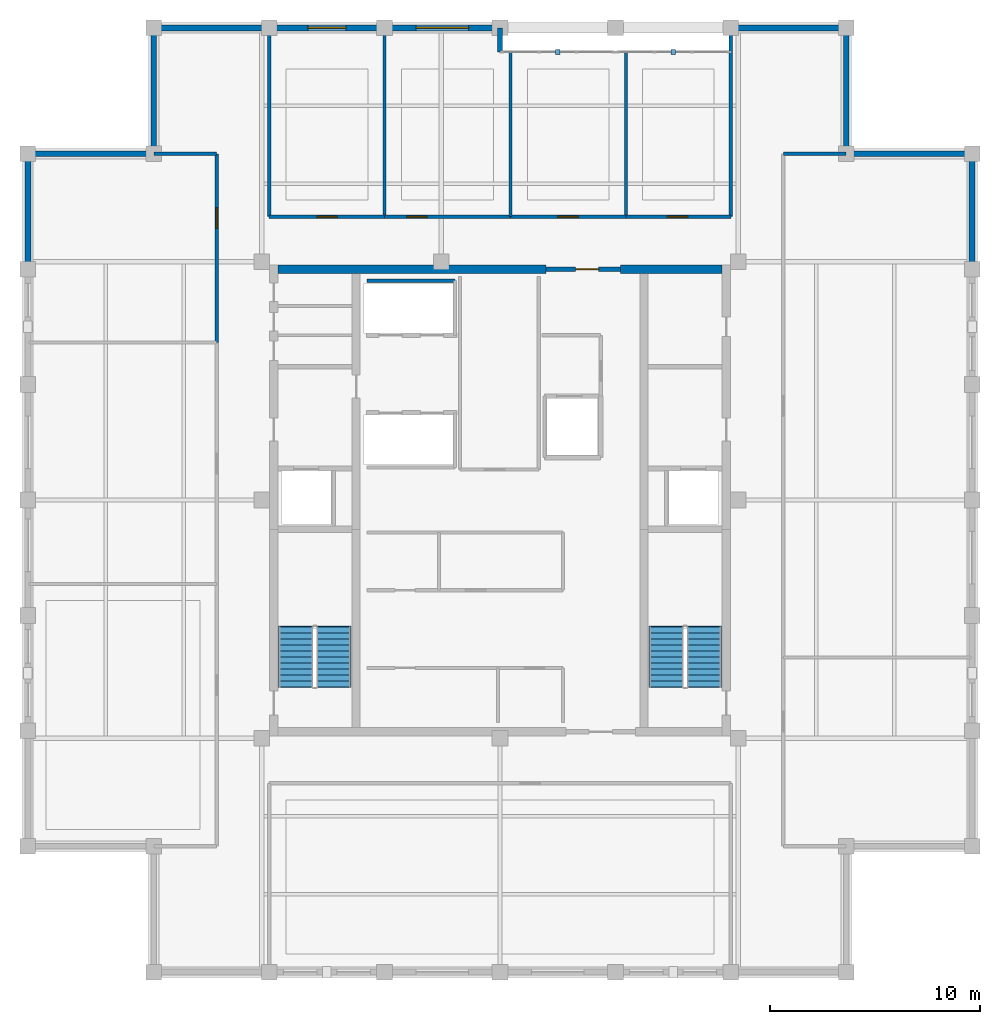
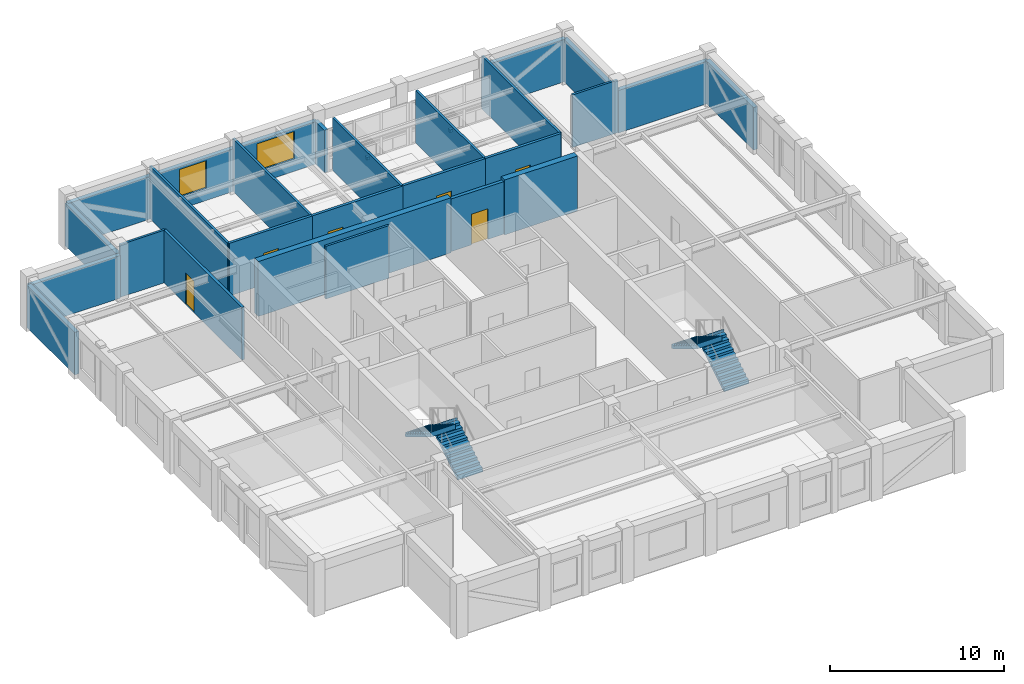
# One storey, part 6 of 9: 27 walls, 6 doors, 4 stair flights, 2 discrete accessories, 2 windows, 8 openings, 2 elements without a shape of their own.
"""IFC4 building model written with IfcOpenShell, lengths in metres."""

from ifc_helpers import new_model, si_unit, direction, frame, frame_2d, origin, origin_2d, place, context, subcontext, project, spatial, polyline, rectangle, outline, extrude, material, layer, layer_set, type_object, element, fill, aggregate, save


model = new_model("IFC4")

# Units and contexts
model_context = context("Model", 3, precision=1e-05, world=origin(), true_north=direction((0.0, 1.0)))
body_context = subcontext(model_context, "Body", "Model", "MODEL_VIEW")
ifc_project = project(units=[si_unit("LENGTHUNIT", "METRE"), si_unit("AREAUNIT", "SQUARE_METRE"), si_unit("VOLUMEUNIT", "CUBIC_METRE"), si_unit("PLANEANGLEUNIT", "RADIAN"), si_unit("MASSUNIT", "GRAM", prefix="KILO")], contexts=[model_context])

# Site, building, storey
site_placement = place(None, origin())
site = spatial("IfcSite", under=ifc_project, at=site_placement, CompositionType="ELEMENT")
building_placement = place(site_placement, origin())
building = spatial("IfcBuilding", under=site, at=building_placement, Name="Nhamokura Convention Tower", CompositionType="ELEMENT")
storey_placement = place(building_placement, frame((0.0, 0.0, 273.699951171875)))
storey = spatial("IfcBuildingStorey", under=building, at=storey_placement, Name="L67", CompositionType="ELEMENT", Elevation=273.699951171875)

# Walls
ifc_material_1 = material(Name="Bronze-pigmented precast concrete C45/55", Category="concrete")
ifc_layer_1 = layer(ifc_material_1, 0.280029296875)
ifc_layer_set_1 = layer_set([ifc_layer_1], Name="BronzePrecastSpandrel_280")
wall_type_1 = type_object("IfcWallType", Name="BronzePrecastSpandrel_280", PredefinedType="USERDEFINED", material=ifc_layer_set_1)
wall_1_placement = place(storey_placement, frame((32.0, 54.5, 0.0), z_axis=(0.0, 0.0, 1.0), x_axis=(0.0, -1.0, 0.0)))
element("IfcWall", 1, at=wall_1_placement, inside=storey, type_object=wall_type_1, Name="L67 Scale Slot Cheek Wall NORTHA", ObjectType="SPANDREL_WALL", PredefinedType="USERDEFINED", context=body_context, shape_type="SweptSolid", body=[
    extrude(rectangle(XDim=1.14990234375, YDim=0.239990234375, at=frame_2d((0.574951171875, 0.0))), origin(), (0.0, 0.0, 1.0), 2.985107421875),
])
wall_2_placement = place(storey_placement, frame((15.5, 54.5, 0.0), z_axis=(0.0, 0.0, 1.0), x_axis=(1.0, 0.0, 0.0)))
element("IfcWall", 2, at=wall_2_placement, inside=storey, type_object=wall_type_1, Name="L67 Braced-Bay Precast Wall NORTH 0", ObjectType="SPANDREL_WALL", PredefinedType="USERDEFINED", context=body_context, shape_type="SweptSolid", body=[
    extrude(rectangle(XDim=5.5, YDim=0.280029296875, at=frame_2d((2.75, 0.0))), origin(), (0.0, 0.0, 1.0), 2.985107421875),
])

# Wall, opening, window
wall_3_placement = place(storey_placement, frame((21.0, 54.5, 0.0), z_axis=(0.0, 0.0, 1.0), x_axis=(1.0, 0.0, 0.0)))
wall_3 = element("IfcWall", 3, at=wall_3_placement, inside=storey, type_object=wall_type_1, Name="L67 Masonry-Frame Wall NORTH 1", ObjectType="SPANDREL_WALL", PredefinedType="USERDEFINED", context=body_context, shape_type="SweptSolid", body=[
    extrude(rectangle(XDim=5.5, YDim=0.280029296875, at=frame_2d((2.75, 0.0))), origin(), (0.0, 0.0, 1.0), 2.985107421875),
])
opening_1_placement = place(wall_3_placement, frame((1.85009765625, 0.0, 0.85009765625)))
opening_1 = element("IfcOpeningElement", 4, at=opening_1_placement, cuts=wall_3, Name="Opening W-10", PredefinedType="OPENING", context=body_context, shape_type="SweptSolid", body=[
    extrude(rectangle(XDim=1.800048828125, YDim=1.93505859375, at=frame_2d((0.89990234375, 0.967529296875))), frame((0.0, 0.14990234375, 0.0), z_axis=(0.0, -1.0, 0.0), x_axis=(1.0, 0.0, 0.0)), (0.0, 0.0, 1.0), 0.300048828125),
])
ifc_material_2 = material(Name="Solar-control bronze low-E double glass", Category="glass")
window_type_1 = type_object("IfcWindowType", Name="SummitWindow_Z4_1800", PartitioningType="SINGLE_PANEL", PredefinedType="WINDOW", material=ifc_material_2)
window_1_placement = place(opening_1_placement, origin())
window_1 = element("IfcWindow", 5, at=window_1_placement, inside=storey, type_object=window_type_1, Name="L67 Facade Window NORTH 1", OverallHeight=1.93505859375, OverallWidth=1.800048828125, PartitioningType="SINGLE_PANEL", PredefinedType="WINDOW", context=body_context, shape_type="SweptSolid", body=[
    extrude(rectangle(XDim=1.800048828125, YDim=1.93505859375, at=frame_2d((0.89990234375, 0.967529296875))), frame((0.0, 0.030029296875, 0.0), z_axis=(0.0, -1.0, 0.0), x_axis=(1.0, 0.0, 0.0)), (0.0, 0.0, 1.0), 0.06005859375),
])
fill(opening_1, window_1)

wall_4_placement = place(storey_placement, frame((26.5, 54.5, 0.0), z_axis=(0.0, 0.0, 1.0), x_axis=(1.0, 0.0, 0.0)))
wall_4 = element("IfcWall", 6, at=wall_4_placement, inside=storey, type_object=wall_type_1, Name="L67 Masonry-Frame Wall NORTH 2", ObjectType="SPANDREL_WALL", PredefinedType="USERDEFINED", context=body_context, shape_type="SweptSolid", body=[
    extrude(rectangle(XDim=5.5, YDim=0.280029296875, at=frame_2d((2.75, 0.0))), origin(), (0.0, 0.0, 1.0), 2.985107421875),
])
opening_2_placement = place(wall_4_placement, frame((1.5, 0.0, 0.85009765625)))
opening_2 = element("IfcOpeningElement", 7, at=opening_2_placement, cuts=wall_4, Name="Opening W-09", PredefinedType="OPENING", context=body_context, shape_type="SweptSolid", body=[
    extrude(rectangle(XDim=2.5, YDim=1.93505859375, at=frame_2d((1.25, 0.967529296875))), frame((0.0, 0.14990234375, 0.0), z_axis=(0.0, -1.0, 0.0), x_axis=(1.0, 0.0, 0.0)), (0.0, 0.0, 1.0), 0.300048828125),
])
ifc_material_3 = material(Name="Solar-control bronze low-E double glass", Category="glass")
window_type_2 = type_object("IfcWindowType", Name="SummitWindow_Z4_2500", PartitioningType="DOUBLE_PANEL_VERTICAL", PredefinedType="WINDOW", material=ifc_material_3)
window_2_placement = place(opening_2_placement, origin())
window_2 = element("IfcWindow", 8, at=window_2_placement, inside=storey, type_object=window_type_2, Name="L67 Facade Window NORTH 2", OverallHeight=1.93505859375, OverallWidth=2.5, PartitioningType="SINGLE_PANEL", PredefinedType="WINDOW", context=body_context, shape_type="SweptSolid", body=[
    extrude(rectangle(XDim=2.5, YDim=1.93505859375, at=frame_2d((1.25, 0.967529296875))), frame((0.0, 0.030029296875, 0.0), z_axis=(0.0, -1.0, 0.0), x_axis=(1.0, 0.0, 0.0)), (0.0, 0.0, 1.0), 0.06005859375),
])
fill(opening_2, window_2)

# Walls
for number, where, z_axis, x_axis, name in (
    (9, (43.0, 54.5, 0.0), (0.0, 0.0, 1.0), (1.0, 0.0, 0.0), "L67 Braced-Bay Precast Wall NORTH 5"),
    (10, (9.5, 43.0, 0.0), (0.0, 0.0, 1.0), (0.0, 1.0, 0.0), "L67 Braced-Bay Precast Wall WEST 5"),
    (11, (54.5, 48.5, 0.0), (0.0, 0.0, 1.0), (0.0, -1.0, 0.0), "L67 Braced-Bay Precast Wall EAST 5"),
):
    element("IfcWall", number, at=place(storey_placement, frame(where, z_axis=z_axis, x_axis=x_axis)), inside=storey, type_object=wall_type_1, Name=name, ObjectType="SPANDREL_WALL", PredefinedType="USERDEFINED", context=body_context, shape_type="SweptSolid", body=[
        extrude(rectangle(XDim=5.5, YDim=0.280029296875, at=frame_2d((2.75, 0.0))), origin(), (0.0, 0.0, 1.0), 2.985107421875),
    ])
for number, where, z_axis, x_axis, name in (
    (12, (48.5, 48.5, 0.0), (0.0, 0.0, 1.0), (1.0, 0.0, 0.0), "L67 Notched Corner Wall NE1"),
    (13, (48.5, 54.5, 0.0), (0.0, 0.0, 1.0), (0.0, -1.0, 0.0), "L67 Notched Corner Wall NE2"),
    (14, (15.5, 48.5, 0.0), (0.0, 0.0, 1.0), (0.0, 1.0, 0.0), "L67 Notched Corner Wall NW1"),
    (15, (9.5, 48.5, 0.0), (0.0, 0.0, 1.0), (1.0, 0.0, 0.0), "L67 Notched Corner Wall NW2"),
):
    element("IfcWall", number, at=place(storey_placement, frame(where, z_axis=z_axis, x_axis=x_axis)), inside=storey, type_object=wall_type_1, Name=name, ObjectType="SPANDREL_WALL", PredefinedType="USERDEFINED", context=body_context, shape_type="SweptSolid", body=[
        extrude(rectangle(XDim=6.0, YDim=0.280029296875, at=frame_2d((3.0, 0.0))), origin(), (0.0, 0.0, 1.0), 2.985107421875),
    ])
ifc_material_4 = material(Name="Concrete C50/60", Category="concrete")
ifc_layer_2 = layer(ifc_material_4, 0.39990234375)
ifc_layer_set_2 = layer_set([ifc_layer_2], Name="CoreShearWall_400")
wall_type_2 = type_object("IfcWallType", Name="CoreShearWall_400", PredefinedType="SHEAR", material=ifc_layer_set_2)
wall_5_placement = place(storey_placement, frame((21.409912109375, 43.0, 0.0), z_axis=(0.0, 0.0, 1.0), x_axis=(1.0, 0.0, 0.0)))
element("IfcWall", 16, at=wall_5_placement, inside=storey, type_object=wall_type_2, Name="L67 Core Shear Wall CW-N1", PredefinedType="SHEAR", context=body_context, shape_type="SweptSolid", body=[
    extrude(rectangle(XDim=12.7900390625, YDim=0.39990234375, at=frame_2d((6.39501953125, 0.0))), origin(), (0.0, 0.0, 1.0), 3.85009765625),
])
wall_6_placement = place(storey_placement, frame((37.75, 43.0, 0.0), z_axis=(0.0, 0.0, 1.0), x_axis=(1.0, 0.0, 0.0)))
element("IfcWall", 17, at=wall_6_placement, inside=storey, type_object=wall_type_2, Name="L67 Core Shear Wall CW-N2", PredefinedType="SHEAR", context=body_context, shape_type="SweptSolid", body=[
    extrude(rectangle(XDim=4.840087890625, YDim=0.39990234375, at=frame_2d((2.419921875, 0.0))), origin(), (0.0, 0.0, 1.0), 3.85009765625),
])

# Wall, opening, door
ifc_material_5 = material(Name="Fire-rated gypsum and masonry partition", Category="masonry")
ifc_layer_3 = layer(ifc_material_5, 0.179931640625)
ifc_layer_set_3 = layer_set([ifc_layer_3], Name="CorridorRatedWall_180")
wall_type_3 = type_object("IfcWallType", Name="CorridorRatedWall_180", PredefinedType="STANDARD", material=ifc_layer_set_3)
wall_7_placement = place(storey_placement, frame((21.0, 45.5, 0.0), z_axis=(0.0, 0.0, 1.0), x_axis=(1.0, 0.0, 0.0)))
wall_7 = element("IfcWall", 18, at=wall_7_placement, inside=storey, type_object=wall_type_3, Name="L67 Wall INT-L67-CW-N00", PredefinedType="STANDARD", context=body_context, shape_type="SweptSolid", body=[
    extrude(rectangle(XDim=5.5, YDim=0.179931640625, at=frame_2d((2.75, 0.0))), origin(), (0.0, 0.0, 1.0), 3.68505859375),
])
opening_3_placement = place(wall_7_placement, frame((2.27490234375, 0.0, 0.0)))
opening_3 = element("IfcOpeningElement", 19, at=opening_3_placement, cuts=wall_7, Name="Opening D-08", PredefinedType="OPENING", context=body_context, shape_type="SweptSolid", body=[
    extrude(rectangle(XDim=0.97998046875, YDim=2.199951171875, at=frame_2d((0.489990234375, 1.10009765625))), frame((0.0, 0.099853515625, 0.0), z_axis=(0.0, -1.0, 0.0), x_axis=(1.0, 0.0, 0.0)), (0.0, 0.0, 1.0), 0.199951171875),
])
ifc_material_6 = material(Name="Solid oak hardwood", Category="wood")
door_type_1 = type_object("IfcDoorType", Name="OfficeEntryDoor_980", OperationType="NOTDEFINED", PredefinedType="DOOR", material=ifc_material_6)
door_1_placement = place(opening_3_placement, origin())
door_1 = element("IfcDoor", 20, at=door_1_placement, inside=storey, type_object=door_type_1, Name="L67 Private Office N01 Door", OperationType="SINGLE_SWING_LEFT", OverallHeight=2.199951171875, OverallWidth=0.97998046875, PredefinedType="DOOR", context=body_context, shape_type="SweptSolid", body=[
    extrude(rectangle(XDim=0.97998046875, YDim=2.199951171875, at=frame_2d((0.489990234375, 1.10009765625))), frame((0.0, 0.02490234375, 0.0), z_axis=(0.0, -1.0, 0.0), x_axis=(1.0, 0.0, 0.0)), (0.0, 0.0, 1.0), 0.050048828125),
])
fill(opening_3, door_1)

wall_8_placement = place(storey_placement, frame((26.5, 45.5, 0.0), z_axis=(0.0, 0.0, 1.0), x_axis=(1.0, 0.0, 0.0)))
wall_8 = element("IfcWall", 21, at=wall_8_placement, inside=storey, type_object=wall_type_3, Name="L67 Wall INT-L67-CW-N01", PredefinedType="STANDARD", context=body_context, shape_type="SweptSolid", body=[
    extrude(rectangle(XDim=6.0, YDim=0.179931640625, at=frame_2d((3.0, 0.0))), origin(), (0.0, 0.0, 1.0), 3.68505859375),
])
opening_4_placement = place(wall_8_placement, frame((1.050048828125, 0.0, 0.0)))
opening_4 = element("IfcOpeningElement", 22, at=opening_4_placement, cuts=wall_8, Name="Opening D-08", PredefinedType="OPENING", context=body_context, shape_type="SweptSolid", body=[
    extrude(rectangle(XDim=0.97998046875, YDim=2.199951171875, at=frame_2d((0.489990234375, 1.10009765625))), frame((0.0, 0.099853515625, 0.0), z_axis=(0.0, -1.0, 0.0), x_axis=(1.0, 0.0, 0.0)), (0.0, 0.0, 1.0), 0.199951171875),
])
door_2_placement = place(opening_4_placement, origin())
door_2 = element("IfcDoor", 23, at=door_2_placement, inside=storey, type_object=door_type_1, Name="L67 Meeting Room N02 Door", OperationType="SINGLE_SWING_RIGHT", OverallHeight=2.199951171875, OverallWidth=0.97998046875, PredefinedType="DOOR", context=body_context, shape_type="SweptSolid", body=[
    extrude(rectangle(XDim=0.97998046875, YDim=2.199951171875, at=frame_2d((0.489990234375, 1.10009765625))), frame((0.0, 0.02490234375, 0.0), z_axis=(0.0, -1.0, 0.0), x_axis=(1.0, 0.0, 0.0)), (0.0, 0.0, 1.0), 0.050048828125),
])
fill(opening_4, door_2)

wall_9_placement = place(storey_placement, frame((32.5, 45.5, 0.0), z_axis=(0.0, 0.0, 1.0), x_axis=(1.0, 0.0, 0.0)))
wall_9 = element("IfcWall", 24, at=wall_9_placement, inside=storey, type_object=wall_type_3, Name="L67 Wall INT-L67-CW-N02", PredefinedType="STANDARD", context=body_context, shape_type="SweptSolid", body=[
    extrude(rectangle(XDim=5.5, YDim=0.179931640625, at=frame_2d((2.75, 0.0))), origin(), (0.0, 0.0, 1.0), 3.68505859375),
])
opening_5_placement = place(wall_9_placement, frame((2.25, 0.0, 0.0)))
opening_5 = element("IfcOpeningElement", 25, at=opening_5_placement, cuts=wall_9, Name="Opening D-08", PredefinedType="OPENING", context=body_context, shape_type="SweptSolid", body=[
    extrude(rectangle(XDim=0.97998046875, YDim=2.199951171875, at=frame_2d((0.489990234375, 1.10009765625))), frame((0.0, 0.099853515625, 0.0), z_axis=(0.0, -1.0, 0.0), x_axis=(1.0, 0.0, 0.0)), (0.0, 0.0, 1.0), 0.199951171875),
])
door_3_placement = place(opening_5_placement, origin())
door_3 = element("IfcDoor", 26, at=door_3_placement, inside=storey, type_object=door_type_1, Name="L67 Interpretation Booth N03 Door", OperationType="SINGLE_SWING_LEFT", OverallHeight=2.199951171875, OverallWidth=0.97998046875, PredefinedType="DOOR", context=body_context, shape_type="SweptSolid", body=[
    extrude(rectangle(XDim=0.97998046875, YDim=2.199951171875, at=frame_2d((0.489990234375, 1.10009765625))), frame((0.0, 0.02490234375, 0.0), z_axis=(0.0, -1.0, 0.0), x_axis=(1.0, 0.0, 0.0)), (0.0, 0.0, 1.0), 0.050048828125),
])
fill(opening_5, door_3)

wall_10_placement = place(storey_placement, frame((38.0, 45.5, 0.0), z_axis=(0.0, 0.0, 1.0), x_axis=(1.0, 0.0, 0.0)))
wall_10 = element("IfcWall", 27, at=wall_10_placement, inside=storey, type_object=wall_type_3, Name="L67 Wall INT-L67-CW-N03", PredefinedType="STANDARD", context=body_context, shape_type="SweptSolid", body=[
    extrude(rectangle(XDim=5.0, YDim=0.179931640625, at=frame_2d((2.5, 0.0))), origin(), (0.0, 0.0, 1.0), 3.68505859375),
])
opening_6_placement = place(wall_10_placement, frame((1.97509765625, 0.0, 0.0)))
opening_6 = element("IfcOpeningElement", 28, at=opening_6_placement, cuts=wall_10, Name="Opening D-08", PredefinedType="OPENING", context=body_context, shape_type="SweptSolid", body=[
    extrude(rectangle(XDim=0.97998046875, YDim=2.199951171875, at=frame_2d((0.489990234375, 1.10009765625))), frame((0.0, 0.099853515625, 0.0), z_axis=(0.0, -1.0, 0.0), x_axis=(1.0, 0.0, 0.0)), (0.0, 0.0, 1.0), 0.199951171875),
])
door_4_placement = place(opening_6_placement, origin())
door_4 = element("IfcDoor", 29, at=door_4_placement, inside=storey, type_object=door_type_1, Name="L67 Document Store N04 Door", OperationType="SINGLE_SWING_RIGHT", OverallHeight=2.199951171875, OverallWidth=0.97998046875, PredefinedType="DOOR", context=body_context, shape_type="SweptSolid", body=[
    extrude(rectangle(XDim=0.97998046875, YDim=2.199951171875, at=frame_2d((0.489990234375, 1.10009765625))), frame((0.0, 0.02490234375, 0.0), z_axis=(0.0, -1.0, 0.0), x_axis=(1.0, 0.0, 0.0)), (0.0, 0.0, 1.0), 0.050048828125),
])
fill(opening_6, door_4)

wall_11_placement = place(storey_placement, frame((18.5, 39.5, 0.0), z_axis=(0.0, 0.0, 1.0), x_axis=(0.0, 1.0, 0.0)))
wall_11 = element("IfcWall", 30, at=wall_11_placement, inside=storey, type_object=wall_type_3, Name="L67 Wall INT-L67-CW-W02", PredefinedType="STANDARD", context=body_context, shape_type="SweptSolid", body=[
    extrude(rectangle(XDim=9.0, YDim=0.179931640625, at=frame_2d((4.5, 0.0))), origin(), (0.0, 0.0, 1.0), 3.68505859375),
])
opening_7_placement = place(wall_11_placement, frame((5.449951171875, 0.0, 0.0)))
opening_7 = element("IfcOpeningElement", 31, at=opening_7_placement, cuts=wall_11, Name="Opening D-08", PredefinedType="OPENING", context=body_context, shape_type="SweptSolid", body=[
    extrude(rectangle(XDim=0.97998046875, YDim=2.199951171875, at=frame_2d((0.489990234375, 1.10009765625))), frame((0.0, 0.099853515625, 0.0), z_axis=(0.0, -1.0, 0.0), x_axis=(1.0, 0.0, 0.0)), (0.0, 0.0, 1.0), 0.199951171875),
])
door_5_placement = place(opening_7_placement, origin())
door_5 = element("IfcDoor", 32, at=door_5_placement, inside=storey, type_object=door_type_1, Name="L67 VIP Lounge W03 Door", OperationType="SINGLE_SWING_LEFT", OverallHeight=2.199951171875, OverallWidth=0.97998046875, PredefinedType="DOOR", context=body_context, shape_type="SweptSolid", body=[
    extrude(rectangle(XDim=0.97998046875, YDim=2.199951171875, at=frame_2d((0.489990234375, 1.10009765625))), frame((0.0, 0.02490234375, 0.0), z_axis=(0.0, -1.0, 0.0), x_axis=(1.0, 0.0, 0.0)), (0.0, 0.0, 1.0), 0.050048828125),
])
fill(opening_7, door_5)

ifc_material_7 = material(Name="Autoclaved concrete blockwork", Category="masonry")
ifc_layer_4 = layer(ifc_material_7, 0.219970703125)
ifc_layer_set_4 = layer_set([ifc_layer_4], Name="FireLobbyWall_220")
wall_type_4 = type_object("IfcWallType", Name="FireLobbyWall_220", PredefinedType="STANDARD", material=ifc_layer_set_4)
wall_12_placement = place(storey_placement, frame((34.199951171875, 43.0, 0.0), z_axis=(0.0, 0.0, 1.0), x_axis=(1.0, 0.0, 0.0)))
wall_12 = element("IfcWall", 33, at=wall_12_placement, inside=storey, type_object=wall_type_4, Name="L67 Wall INT-L67-CPORT-N", PredefinedType="STANDARD", context=body_context, shape_type="SweptSolid", body=[
    extrude(rectangle(XDim=3.550048828125, YDim=0.219970703125, at=frame_2d((1.77490234375, 0.0))), origin(), (0.0, 0.0, 1.0), 3.68505859375),
])
opening_8_placement = place(wall_12_placement, frame((1.39990234375, 0.0, 0.0)))
opening_8 = element("IfcOpeningElement", 34, at=opening_8_placement, cuts=wall_12, Name="Opening D-05", PredefinedType="OPENING", context=body_context, shape_type="SweptSolid", body=[
    extrude(rectangle(XDim=1.10009765625, YDim=2.14990234375, at=frame_2d((0.550048828125, 1.074951171875))), frame((0.0, 0.119873046875, 0.0), z_axis=(0.0, -1.0, 0.0), x_axis=(1.0, 0.0, 0.0)), (0.0, 0.0, 1.0), 0.239990234375),
])
ifc_material_8 = material(Name="Fire-rated steel door", Category="steel")
door_type_2 = type_object("IfcDoorType", Name="FireLobbyDoor_1100", OperationType="NOTDEFINED", PredefinedType="DOOR", material=ifc_material_8)
door_6_placement = place(opening_8_placement, origin())
door_6 = element("IfcDoor", 35, at=door_6_placement, inside=storey, type_object=door_type_2, Name="L67 North Core Lobby Portal Door", OperationType="SINGLE_SWING_RIGHT", OverallHeight=2.14990234375, OverallWidth=1.10009765625, PredefinedType="DOOR", context=body_context, shape_type="SweptSolid", body=[
    extrude(rectangle(XDim=1.10009765625, YDim=2.14990234375, at=frame_2d((0.550048828125, 1.074951171875))), frame((0.0, 0.02490234375, 0.0), z_axis=(0.0, -1.0, 0.0), x_axis=(1.0, 0.0, 0.0)), (0.0, 0.0, 1.0), 0.050048828125),
])
fill(opening_8, door_6)

# Walls
ifc_material_9 = material(Name="Acoustic gypsum stud partition", Category="masonry")
ifc_layer_5 = layer(ifc_material_9, 0.14990234375)
ifc_layer_set_5 = layer_set([ifc_layer_5], Name="InteriorPartition_150")
wall_type_5 = type_object("IfcWallType", Name="InteriorPartition_150", PredefinedType="STANDARD", material=ifc_layer_set_5)
wall_13_placement = place(storey_placement, frame((25.64990234375, 42.449951171875, 0.0), z_axis=(0.0, 0.0, 1.0), x_axis=(1.0, 0.0, 0.0)))
element("IfcWall", 36, at=wall_13_placement, inside=storey, type_object=wall_type_5, Name="L67 Wall INT-L67-B3B-N", PredefinedType="STANDARD", context=body_context, shape_type="SweptSolid", body=[
    extrude(rectangle(XDim=4.2001953125, YDim=0.14990234375, at=frame_2d((2.10009765625, 0.0))), origin(), (0.0, 0.0, 1.0), 3.68505859375),
])
for number, where, z_axis, x_axis, name in (
    (37, (21.0, 45.5, 0.0), (0.0, 0.0, 1.0), (0.0, 1.0, 0.0), "L67 Wall INT-L67-RWL-N"),
    (38, (43.0, 45.5, 0.0), (0.0, 0.0, 1.0), (0.0, 1.0, 0.0), "L67 Wall INT-L67-RWR-N"),
    (39, (26.5, 45.5, 0.0), (0.0, 0.0, 1.0), (0.0, 1.0, 0.0), "L67 Wall INT-L67-RW-N01"),
):
    element("IfcWall", number, at=place(storey_placement, frame(where, z_axis=z_axis, x_axis=x_axis)), inside=storey, type_object=wall_type_5, Name=name, PredefinedType="STANDARD", context=body_context, shape_type="SweptSolid", body=[
        extrude(rectangle(XDim=8.93994140625, YDim=0.14990234375, at=frame_2d((4.469970703125, 0.0))), origin(), (0.0, 0.0, 1.0), 3.68505859375),
    ])
for number, where, z_axis, x_axis, name in (
    (40, (32.5, 45.5, 0.0), (0.0, 0.0, 1.0), (0.0, 1.0, 0.0), "L67 Wall INT-L67-RW-N02"),
    (41, (38.0, 45.5, 0.0), (0.0, 0.0, 1.0), (0.0, 1.0, 0.0), "L67 Wall INT-L67-RW-N03"),
):
    element("IfcWall", number, at=place(storey_placement, frame(where, z_axis=z_axis, x_axis=x_axis)), inside=storey, type_object=wall_type_5, Name=name, PredefinedType="STANDARD", context=body_context, shape_type="SweptSolid", body=[
        extrude(rectangle(XDim=7.840087890625, YDim=0.14990234375, at=frame_2d((3.919921875, 0.0))), origin(), (0.0, 0.0, 1.0), 3.68505859375),
    ])
for number, where, z_axis, x_axis, name in (
    (42, (15.5, 48.5, 0.0), (0.0, 0.0, 1.0), (1.0, 0.0, 0.0), "L67 Wall INT-L67-VSTP-WN"),
    (43, (45.5, 48.5, 0.0), (0.0, 0.0, 1.0), (1.0, 0.0, 0.0), "L67 Wall INT-L67-VSTP-EN"),
):
    element("IfcWall", number, at=place(storey_placement, frame(where, z_axis=z_axis, x_axis=x_axis)), inside=storey, type_object=wall_type_5, Name=name, PredefinedType="STANDARD", context=body_context, shape_type="SweptSolid", body=[
        extrude(rectangle(XDim=3.0, YDim=0.14990234375, at=frame_2d((1.5, 0.0))), origin(), (0.0, 0.0, 1.0), 3.68505859375),
    ])

# Stair, stair flights
ifc_material_10 = material(Name="Concrete C40/50", Category="concrete")
stair_type = type_object("IfcStairType", Name="TowerCoreStair_1650", PredefinedType="HALF_TURN_STAIR", material=ifc_material_10)
stair_1_placement = place(storey_placement, origin())
stair_1 = element("IfcStair", 44, at=stair_1_placement, inside=storey, type_object=stair_type, Name="L67 West Core Smokeproof Stair ST-01", PredefinedType="HALF_TURN_STAIR")
ifc_material_11 = material(Name="Concrete C40/50", Category="concrete")
stair_flight_type = type_object("IfcStairFlightType", Name="TowerCoreStair_1650_Flight", PredefinedType="STRAIGHT", material=ifc_material_11)
stair_flight_1_placement = place(storey_placement, frame((24.074951171875, 23.10009765625, 0.0), z_axis=(0.0, 0.0, 1.0), x_axis=(0.0, 1.0, 0.0)))
stair_flight_1 = element("IfcStairFlight", 45, at=stair_flight_1_placement, type_object=stair_flight_type, Name="ST-01 flight 1", NumberOfRisers=11, NumberOfTreads=10, PredefinedType="STRAIGHT", RiserHeight=0.175, TreadLength=0.285, context=body_context, shape_type="SweptSolid", body=[
    extrude(outline(polyline([(-0.0419921875, 0.0), (0.0, 0.175048828125), (0.284912109375, 0.175048828125), (0.284912109375, 0.35009765625), (0.570068359375, 0.35009765625), (0.570068359375, 0.52490234375), (0.85498046875, 0.52490234375), (0.85498046875, 0.699951171875), (1.139892578125, 0.699951171875), (1.139892578125, 0.875), (1.425048828125, 0.875), (1.425048828125, 1.050048828125), (1.7099609375, 1.050048828125), (1.7099609375, 1.22509765625), (1.9951171875, 1.22509765625), (1.9951171875, 1.39990234375), (2.280029296875, 1.39990234375), (2.280029296875, 1.574951171875), (2.56494140625, 1.574951171875), (2.56494140625, 1.75), (2.85009765625, 1.75), (2.85009765625, 1.925048828125), (2.89208984375, 1.925048828125), (2.89208984375, 1.573974609375), (2.85009765625, 1.573974609375), (0.286376953125, 0.0), (0.02001953125, -0.1298828125), (-0.0419921875, -0.1298828125), (-0.0419921875, 0.0)])), frame((0.0, 0.824951171875, 0.0), z_axis=(0.0, -1.0, 0.0), x_axis=(1.0, 0.0, 0.0)), (0.0, 0.0, 1.0), 1.64990234375),
])
stair_flight_2_placement = place(storey_placement, frame((22.27490234375, 25.949951171875, 1.925048828125), z_axis=(0.0, 0.0, 1.0), x_axis=(0.0, -1.0, 0.0)))
stair_flight_2 = element("IfcStairFlight", 46, at=stair_flight_2_placement, type_object=stair_flight_type, Name="ST-01 flight 2", NumberOfRisers=11, NumberOfTreads=10, PredefinedType="STRAIGHT", RiserHeight=0.175, TreadLength=0.285, context=body_context, shape_type="SweptSolid", body=[
    extrude(outline(polyline([(-0.0419921875, 0.0), (0.0, 0.175048828125), (0.284912109375, 0.175048828125), (0.284912109375, 0.35009765625), (0.570068359375, 0.35009765625), (0.570068359375, 0.52490234375), (0.85498046875, 0.52490234375), (0.85498046875, 0.699951171875), (1.139892578125, 0.699951171875), (1.139892578125, 0.875), (1.425048828125, 0.875), (1.425048828125, 1.050048828125), (1.7099609375, 1.050048828125), (1.7099609375, 1.22509765625), (1.9951171875, 1.22509765625), (1.9951171875, 1.39990234375), (2.280029296875, 1.39990234375), (2.280029296875, 1.574951171875), (2.56494140625, 1.574951171875), (2.56494140625, 1.75), (2.85009765625, 1.75), (2.85009765625, 1.925048828125), (2.89208984375, 1.925048828125), (2.89208984375, 1.573974609375), (2.85009765625, 1.573974609375), (0.286376953125, 0.0), (0.02001953125, -0.1298828125), (-0.0419921875, -0.1298828125), (-0.0419921875, 0.0)])), frame((0.0, 0.824951171875, 0.0), z_axis=(0.0, -1.0, 0.0), x_axis=(1.0, 0.0, 0.0)), (0.0, 0.0, 1.0), 1.64990234375),
])
aggregate(stair_1, [stair_flight_1, stair_flight_2])

stair_2_placement = place(storey_placement, origin())
stair_2 = element("IfcStair", 47, at=stair_2_placement, inside=storey, type_object=stair_type, Name="L67 East Core Smokeproof Stair ST-02", PredefinedType="HALF_TURN_STAIR")
stair_flight_3_placement = place(storey_placement, frame((41.72509765625, 23.10009765625, 0.0), z_axis=(0.0, 0.0, 1.0), x_axis=(0.0, 1.0, 0.0)))
stair_flight_3 = element("IfcStairFlight", 48, at=stair_flight_3_placement, type_object=stair_flight_type, Name="ST-02 flight 1", NumberOfRisers=11, NumberOfTreads=10, PredefinedType="STRAIGHT", RiserHeight=0.175, TreadLength=0.285, context=body_context, shape_type="SweptSolid", body=[
    extrude(outline(polyline([(-0.0419921875, 0.0), (0.0, 0.175048828125), (0.284912109375, 0.175048828125), (0.284912109375, 0.35009765625), (0.570068359375, 0.35009765625), (0.570068359375, 0.52490234375), (0.85498046875, 0.52490234375), (0.85498046875, 0.699951171875), (1.139892578125, 0.699951171875), (1.139892578125, 0.875), (1.425048828125, 0.875), (1.425048828125, 1.050048828125), (1.7099609375, 1.050048828125), (1.7099609375, 1.22509765625), (1.9951171875, 1.22509765625), (1.9951171875, 1.39990234375), (2.280029296875, 1.39990234375), (2.280029296875, 1.574951171875), (2.56494140625, 1.574951171875), (2.56494140625, 1.75), (2.85009765625, 1.75), (2.85009765625, 1.925048828125), (2.89208984375, 1.925048828125), (2.89208984375, 1.573974609375), (2.85009765625, 1.573974609375), (0.286376953125, 0.0), (0.02001953125, -0.1298828125), (-0.0419921875, -0.1298828125), (-0.0419921875, 0.0)])), frame((0.0, 0.824951171875, 0.0), z_axis=(0.0, -1.0, 0.0), x_axis=(1.0, 0.0, 0.0)), (0.0, 0.0, 1.0), 1.64990234375),
])
stair_flight_4_placement = place(storey_placement, frame((39.925048828125, 25.949951171875, 1.925048828125), z_axis=(0.0, 0.0, 1.0), x_axis=(0.0, -1.0, 0.0)))
stair_flight_4 = element("IfcStairFlight", 49, at=stair_flight_4_placement, type_object=stair_flight_type, Name="ST-02 flight 2", NumberOfRisers=11, NumberOfTreads=10, PredefinedType="STRAIGHT", RiserHeight=0.175, TreadLength=0.285, context=body_context, shape_type="SweptSolid", body=[
    extrude(outline(polyline([(-0.0419921875, 0.0), (0.0, 0.175048828125), (0.284912109375, 0.175048828125), (0.284912109375, 0.35009765625), (0.570068359375, 0.35009765625), (0.570068359375, 0.52490234375), (0.85498046875, 0.52490234375), (0.85498046875, 0.699951171875), (1.139892578125, 0.699951171875), (1.139892578125, 0.875), (1.425048828125, 0.875), (1.425048828125, 1.050048828125), (1.7099609375, 1.050048828125), (1.7099609375, 1.22509765625), (1.9951171875, 1.22509765625), (1.9951171875, 1.39990234375), (2.280029296875, 1.39990234375), (2.280029296875, 1.574951171875), (2.56494140625, 1.574951171875), (2.56494140625, 1.75), (2.85009765625, 1.75), (2.85009765625, 1.925048828125), (2.89208984375, 1.925048828125), (2.89208984375, 1.573974609375), (2.85009765625, 1.573974609375), (0.286376953125, 0.0), (0.02001953125, -0.1298828125), (-0.0419921875, -0.1298828125), (-0.0419921875, 0.0)])), frame((0.0, 0.824951171875, 0.0), z_axis=(0.0, -1.0, 0.0), x_axis=(1.0, 0.0, 0.0)), (0.0, 0.0, 1.0), 1.64990234375),
])
aggregate(stair_2, [stair_flight_3, stair_flight_4])

# Discrete accessories
ifc_material_12 = material(Name="Steel ASTM A572 Gr 50", Category="steel")
discrete_accessory_type = type_object("IfcDiscreteAccessoryType", Name="FacadeOutstandBracket", PredefinedType="BRACKET", material=ifc_material_12)
for number, where, z_axis, x_axis, name in (
    (50, (34.75, 53.35009765625, -0.02001953125), (0.0, 0.0, 1.0), (1.0, 0.0, 0.0), "L67 Scale Slot Base Shoe Bracket NORTH 3"),
    (51, (40.25, 53.35009765625, -0.02001953125), (0.0, 0.0, 1.0), (1.0, 0.0, 0.0), "L67 Scale Slot Base Shoe Bracket NORTH 4"),
):
    element("IfcDiscreteAccessory", number, at=place(storey_placement, frame(where, z_axis=z_axis, x_axis=x_axis)), inside=storey, type_object=discrete_accessory_type, Name=name, PredefinedType="BRACKET", context=body_context, shape_type="SweptSolid", body=[
        extrude(rectangle(XDim=0.219970703125, YDim=0.219970703125, at=origin_2d()), origin(), (0.0, 0.0, 1.0), 0.199951171875),
    ])

save(model, "model.ifc")
